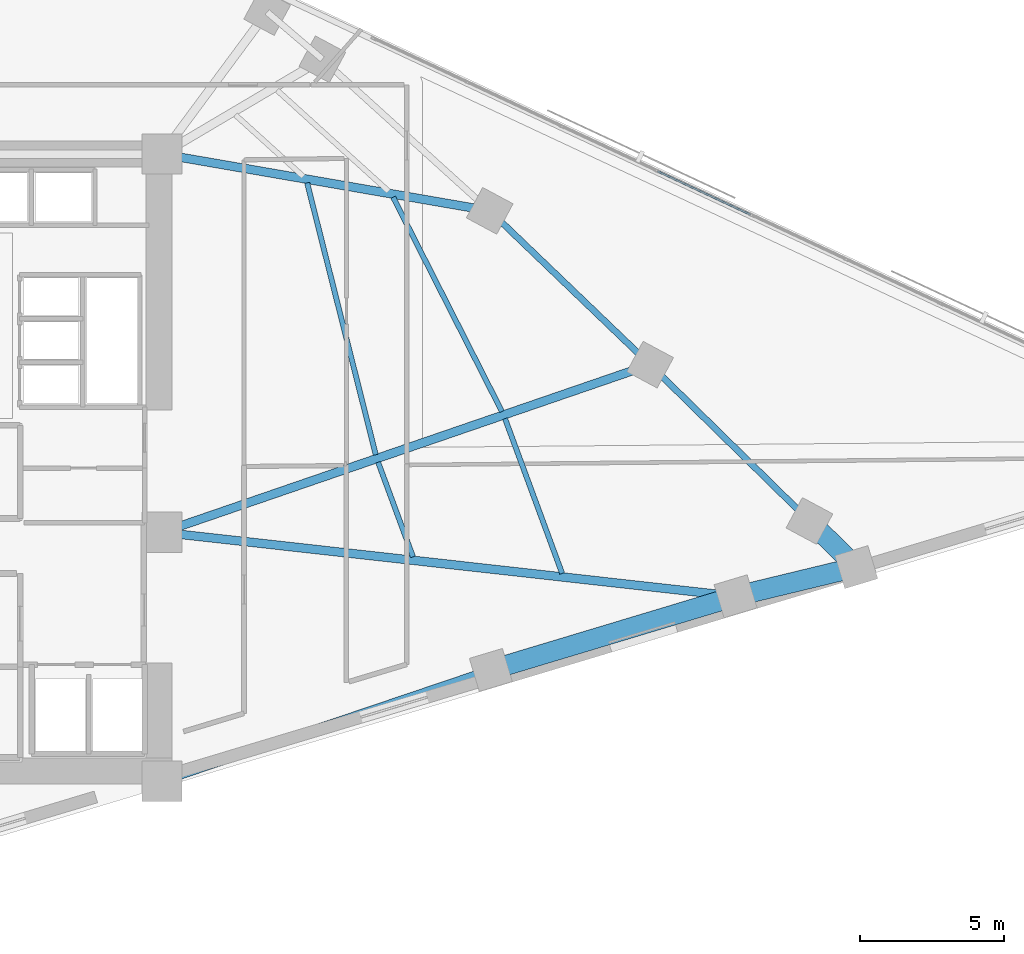
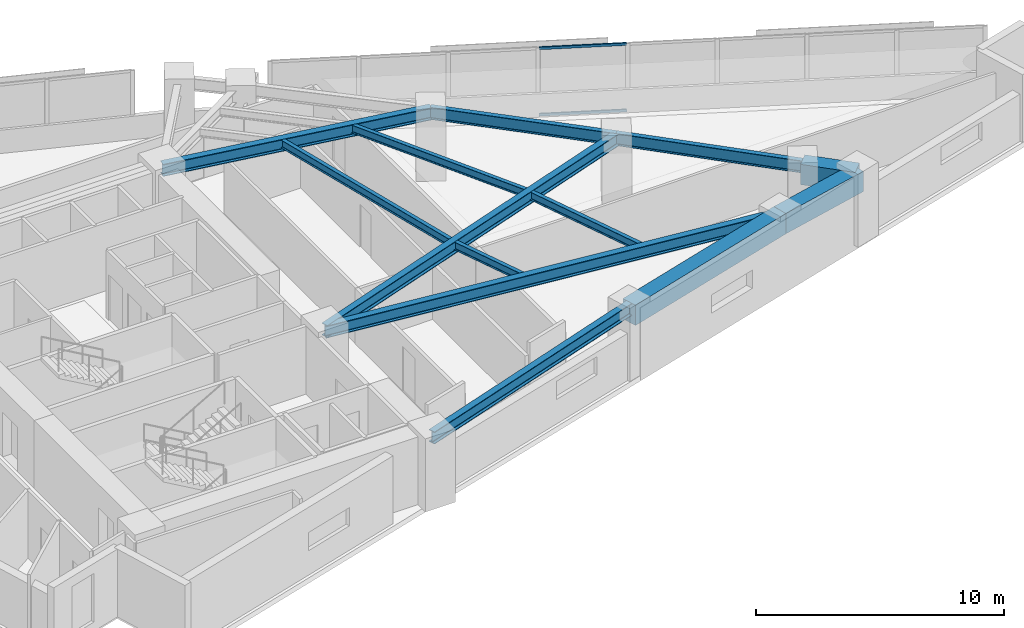
# One storey, part 3 of 15: 13 beams, 2 members, 1 element without a shape of its own.
"""IFC4 building model written with IfcOpenShell, lengths in metres."""

from ifc_helpers import new_model, si_unit, direction, frame, origin, origin_2d, place, context, subcontext, project, spatial, rectangle, hollow_rectangle, i_section, extrude, material, material_profile, profile_set, type_object, element, aggregate, save


model = new_model("IFC4")

# Units and contexts
model_context = context("Model", 3, precision=1e-05, world=origin(), true_north=direction((0.0, 1.0)))
body_context = subcontext(model_context, "Body", "Model", "MODEL_VIEW")
ifc_project = project(units=[si_unit("LENGTHUNIT", "METRE"), si_unit("AREAUNIT", "SQUARE_METRE"), si_unit("VOLUMEUNIT", "CUBIC_METRE"), si_unit("PLANEANGLEUNIT", "RADIAN"), si_unit("MASSUNIT", "GRAM", prefix="KILO")], contexts=[model_context])

# Site, building, storey
site_placement = place(None, origin())
site = spatial("IfcSite", under=ifc_project, at=site_placement, CompositionType="ELEMENT")
building_placement = place(site_placement, origin())
building = spatial("IfcBuilding", under=site, at=building_placement, Name="Narakoshi Arena Tower", CompositionType="ELEMENT")
storey_placement = place(building_placement, frame((0.0, 0.0, 157.5)))
storey = spatial("IfcBuildingStorey", under=building, at=storey_placement, Name="L42", CompositionType="ELEMENT", Elevation=157.5)

# Beams
ifc_material_1 = material(Name="Concrete C60/75", Category="concrete")
ifc_material_profile_1 = material_profile(ifc_material_1, rectangle(XDim=0.699951171875, YDim=1.0, at=origin_2d()), Name="RCB700x1000")
ifc_profile_set_1 = profile_set([ifc_material_profile_1], Name="Concrete C60/75")
beam_type_1 = type_object("IfcBeamType", Name="BM-CPL-1000", PredefinedType="BEAM", material=ifc_profile_set_1)
beam_1_placement = place(storey_placement, frame((96.984619140625, 38.565185546875, 2.840087890625), z_axis=(0.957568042752, 0.288207292585, 0.0), x_axis=(-0.288207292585, 0.957568042752, 0.0)))
element("IfcBeam", 1, at=beam_1_placement, inside=storey, type_object=beam_type_1, Name="L42 Perimeter Edge Girder 01", PredefinedType="BEAM", context=body_context, shape_type="SweptSolid", body=[
    extrude(rectangle(XDim=0.699951171875, YDim=1.0, at=origin_2d()), origin(), (0.0, 0.0, 1.0), 8.885986328125),
])
beam_2_placement = place(storey_placement, frame((105.49365234375, 41.126220703125, 2.840087890625), z_axis=(0.97211420724, 0.234507927545, 0.0), x_axis=(-0.234507927545, 0.97211420724, 0.0)))
element("IfcBeam", 2, at=beam_2_placement, inside=storey, type_object=beam_type_1, Name="L42 Perimeter Edge Girder 02", PredefinedType="BEAM", context=body_context, shape_type="SweptSolid", body=[
    extrude(rectangle(XDim=0.699951171875, YDim=1.0, at=origin_2d()), origin(), (0.0, 0.0, 1.0), 4.3193359375),
])
beam_3_placement = place(storey_placement, frame((109.692626953125, 42.13916015625, 2.840087890625), z_axis=(-0.71252416991, 0.701647566299, 0.0), x_axis=(-0.701647566299, -0.71252416991, 0.0)))
element("IfcBeam", 3, at=beam_3_placement, inside=storey, type_object=beam_type_1, Name="L42 Perimeter Edge Girder 03", PredefinedType="BEAM", context=body_context, shape_type="SweptSolid", body=[
    extrude(rectangle(XDim=0.699951171875, YDim=1.0, at=origin_2d()), origin(), (0.0, 0.0, 1.0), 2.28955078125),
])
ifc_material_2 = material(Name="Structural steel S355J2", Category="steel")
ifc_material_profile_2 = material_profile(ifc_material_2, i_section(OverallWidth=0.219970703125, OverallDepth=0.60009765625, WebThickness=0.011962890625, FlangeThickness=0.01904296875, FilletRadius=0.02392578125, at=origin_2d()), Name="IPE600")
ifc_profile_set_2 = profile_set([ifc_material_profile_2], Name="Structural steel S355J2")
beam_type_2 = type_object("IfcBeamType", Name="BM-EDGE-600", PredefinedType="BEAM", material=ifc_profile_set_2)
beam_4_placement = place(storey_placement, frame((108.061279296875, 43.74560546875, 3.0400390625), z_axis=(-0.713870487965, 0.700277749477, 0.0), x_axis=(-0.700277749477, -0.713870487965, 0.0)))
element("IfcBeam", 4, at=beam_4_placement, inside=storey, type_object=beam_type_2, Name="L42 Perimeter Edge Girder 04", PredefinedType="BEAM", context=body_context, shape_type="SweptSolid", body=[
    extrude(i_section(OverallWidth=0.219970703125, OverallDepth=0.60009765625, WebThickness=0.011962890625, FlangeThickness=0.01904296875, FilletRadius=0.02392578125, at=origin_2d()), origin(), (0.0, 0.0, 1.0), 7.75927734375),
])
beam_5_placement = place(storey_placement, frame((102.522216796875, 49.17919921875, 3.0400390625), z_axis=(-0.721767886663, 0.692135187504, 0.0), x_axis=(-0.692135187504, -0.721767886663, 0.0)))
element("IfcBeam", 5, at=beam_5_placement, inside=storey, type_object=beam_type_2, Name="L42 Perimeter Edge Girder 05", PredefinedType="BEAM", context=body_context, shape_type="SweptSolid", body=[
    extrude(i_section(OverallWidth=0.219970703125, OverallDepth=0.60009765625, WebThickness=0.011962890625, FlangeThickness=0.01904296875, FilletRadius=0.02392578125, at=origin_2d()), origin(), (0.0, 0.0, 1.0), 7.72802734375),
])
ifc_material_profile_3 = material_profile(ifc_material_2, i_section(OverallWidth=0.300048828125, OverallDepth=0.60009765625, WebThickness=0.015380859375, FlangeThickness=0.030029296875, FilletRadius=0.027099609375, at=origin_2d()), Name="HE600B")
ifc_profile_set_3 = profile_set([ifc_material_profile_3], Name="Structural steel S355J2")
beam_type_3 = type_object("IfcBeamType", Name="BM-PRI-600", PredefinedType="BEAM", material=ifc_profile_set_3)
beam_6_placement = place(storey_placement, frame((85.550048828125, 34.699951171875, 3.0400390625), z_axis=(0.947339879376, 0.32022984393, 0.0), x_axis=(-0.32022984393, 0.947339879376, 0.0)))
element("IfcBeam", 6, at=beam_6_placement, inside=storey, type_object=beam_type_3, Name="L42 Radial Primary Floor Girder 01", PredefinedType="BEAM", context=body_context, shape_type="SweptSolid", body=[
    extrude(i_section(OverallWidth=0.300048828125, OverallDepth=0.60009765625, WebThickness=0.015380859375, FlangeThickness=0.030029296875, FilletRadius=0.027099609375, at=origin_2d()), origin(), (0.0, 0.0, 1.0), 12.070068359375),
])
beam_7_placement = place(storey_placement, frame((85.550048828125, 43.35009765625, 3.0400390625), z_axis=(0.99384033484, -0.110821427733, 0.0), x_axis=(0.110821427733, 0.99384033484, 0.0)))
element("IfcBeam", 7, at=beam_7_placement, inside=storey, type_object=beam_type_3, Name="L42 Radial Primary Floor Girder 02", PredefinedType="BEAM", context=body_context, shape_type="SweptSolid", body=[
    extrude(i_section(OverallWidth=0.300048828125, OverallDepth=0.60009765625, WebThickness=0.015380859375, FlangeThickness=0.030029296875, FilletRadius=0.027099609375, at=origin_2d()), origin(), (0.0, 0.0, 1.0), 20.067138671875),
])
beam_8_placement = place(storey_placement, frame((85.550048828125, 43.35009765625, 3.0400390625), z_axis=(0.945773611909, 0.324826530653, 0.0), x_axis=(-0.324826530653, 0.945773611909, 0.0)))
element("IfcBeam", 8, at=beam_8_placement, inside=storey, type_object=beam_type_3, Name="L42 Radial Primary Floor Girder 05", PredefinedType="BEAM", context=body_context, shape_type="SweptSolid", body=[
    extrude(i_section(OverallWidth=0.300048828125, OverallDepth=0.60009765625, WebThickness=0.015380859375, FlangeThickness=0.030029296875, FilletRadius=0.027099609375, at=origin_2d()), origin(), (0.0, 0.0, 1.0), 17.9453125),
])
beam_9_placement = place(storey_placement, frame((85.550048828125, 56.5, 3.0400390625), z_axis=(0.985352893735, -0.170527636492, 0.0), x_axis=(0.170527636492, 0.985352893735, 0.0)))
element("IfcBeam", 9, at=beam_9_placement, inside=storey, type_object=beam_type_3, Name="L42 Radial Primary Floor Girder 06", PredefinedType="BEAM", context=body_context, shape_type="SweptSolid", body=[
    extrude(i_section(OverallWidth=0.300048828125, OverallDepth=0.60009765625, WebThickness=0.015380859375, FlangeThickness=0.030029296875, FilletRadius=0.027099609375, at=origin_2d()), origin(), (0.0, 0.0, 1.0), 11.563720703125),
])
ifc_material_profile_4 = material_profile(ifc_material_2, i_section(OverallWidth=0.179931640625, OverallDepth=0.39990234375, WebThickness=0.008544921875, FlangeThickness=0.013427734375, FilletRadius=0.02099609375, at=origin_2d()), Name="IPE400")
ifc_profile_set_4 = profile_set([ifc_material_profile_4], Name="Structural steel S355J2")
beam_type_4 = type_object("IfcBeamType", Name="BM-SEC-400", PredefinedType="JOIST", material=ifc_profile_set_4)
beam_10_placement = place(storey_placement, frame((94.278564453125, 42.498046875, 3.139892578125), z_axis=(-0.346205363588, 0.938158753209, 0.0), x_axis=(-0.938158753209, -0.346205363588, 0.0)))
element("IfcBeam", 10, at=beam_10_placement, inside=storey, type_object=beam_type_4, Name="L42 Composite Secondary Floor Joist 01", PredefinedType="JOIST", context=body_context, shape_type="SweptSolid", body=[
    extrude(i_section(OverallWidth=0.179931640625, OverallDepth=0.39990234375, WebThickness=0.008544921875, FlangeThickness=0.013427734375, FilletRadius=0.02099609375, at=origin_2d()), origin(), (0.0, 0.0, 1.0), 3.5068359375),
])
beam_11_placement = place(storey_placement, frame((99.4638671875, 41.919921875, 3.139892578125), z_axis=(-0.346162694079, 0.938174498283, 0.0), x_axis=(-0.938174498283, -0.346162694079, 0.0)))
element("IfcBeam", 11, at=beam_11_placement, inside=storey, type_object=beam_type_4, Name="L42 Composite Secondary Floor Joist 02", PredefinedType="JOIST", context=body_context, shape_type="SweptSolid", body=[
    extrude(i_section(OverallWidth=0.179931640625, OverallDepth=0.39990234375, WebThickness=0.008544921875, FlangeThickness=0.013427734375, FilletRadius=0.02099609375, at=origin_2d()), origin(), (0.0, 0.0, 1.0), 5.73876953125),
])
beam_12_placement = place(storey_placement, frame((92.984619140625, 46.0458984375, 3.139892578125), z_axis=(-0.244855712668, 0.969559528845, 0.0), x_axis=(-0.969559528845, -0.244855712668, 0.0)))
element("IfcBeam", 12, at=beam_12_placement, inside=storey, type_object=beam_type_4, Name="L42 Composite Secondary Floor Joist 03", PredefinedType="JOIST", context=body_context, shape_type="SweptSolid", body=[
    extrude(i_section(OverallWidth=0.179931640625, OverallDepth=0.39990234375, WebThickness=0.008544921875, FlangeThickness=0.013427734375, FilletRadius=0.02099609375, at=origin_2d()), origin(), (0.0, 0.0, 1.0), 9.75244140625),
])
beam_13_placement = place(storey_placement, frame((97.369384765625, 47.55078125, 3.139892578125), z_axis=(-0.452757777171, 0.891633554332, 0.0), x_axis=(-0.891633554332, -0.452757777171, 0.0)))
element("IfcBeam", 13, at=beam_13_placement, inside=storey, type_object=beam_type_4, Name="L42 Composite Secondary Floor Joist 04", PredefinedType="JOIST", context=body_context, shape_type="SweptSolid", body=[
    extrude(i_section(OverallWidth=0.179931640625, OverallDepth=0.39990234375, WebThickness=0.008544921875, FlangeThickness=0.013427734375, FilletRadius=0.02099609375, at=origin_2d()), origin(), (0.0, 0.0, 1.0), 8.353759765625),
])

# Curtain wall, members
ifc_material_3 = material(Name="Anodised bronze aluminium 6063-T6", Category="aluminium")
curtain_wall_type = type_object("IfcCurtainWallType", Name="CW-HYP-MID", PredefinedType="NOTDEFINED", material=ifc_material_3)
curtain_wall_placement = place(storey_placement, origin())
curtain_wall = element("IfcCurtainWall", 14, at=curtain_wall_placement, inside=storey, type_object=curtain_wall_type, Name="L42 Folded Hypotenuse Curtain Wall 1-1", PredefinedType="NOTDEFINED")
ifc_material_profile_5 = material_profile(ifc_material_3, hollow_rectangle(XDim=0.06494140625, YDim=0.1298828125, WallThickness=0.00390625, OuterFilletRadius=0.0048828125, at=origin_2d()), Name="TRN130x65x4")
ifc_profile_set_5 = profile_set([ifc_material_profile_5], Name="Anodised bronze aluminium 6063-T6")
member_type = type_object("IfcMemberType", Name="MEM-TRN-130", PredefinedType="USERDEFINED", material=ifc_profile_set_5)
member_1_placement = place(storey_placement, frame((106.008056640625, 54.39404296875, 0.032470703125), z_axis=(-0.905863892755, 0.42356889381, 0.0), x_axis=(-0.42356889381, -0.905863892755, 0.0)))
member_1 = element("IfcMember", 15, at=member_1_placement, type_object=member_type, Name="CW-02 transom 5.1", ObjectType="TRANSOM", PredefinedType="USERDEFINED", context=body_context, shape_type="SweptSolid", body=[
    extrude(hollow_rectangle(XDim=0.06494140625, YDim=0.1298828125, WallThickness=0.00390625, OuterFilletRadius=0.0048828125, at=origin_2d()), origin(), (0.0, 0.0, 1.0), 3.55859375),
])
member_2_placement = place(storey_placement, frame((106.008056640625, 54.39404296875, 3.3076171875), z_axis=(-0.905863892755, 0.42356889381, 0.0), x_axis=(-0.42356889381, -0.905863892755, 0.0)))
member_2 = element("IfcMember", 16, at=member_2_placement, type_object=member_type, Name="CW-02 transom 5.2", ObjectType="TRANSOM", PredefinedType="USERDEFINED", context=body_context, shape_type="SweptSolid", body=[
    extrude(hollow_rectangle(XDim=0.06494140625, YDim=0.1298828125, WallThickness=0.00390625, OuterFilletRadius=0.0048828125, at=origin_2d()), origin(), (0.0, 0.0, 1.0), 3.55859375),
])
aggregate(curtain_wall, [member_1, member_2])

save(model, "model.ifc")
